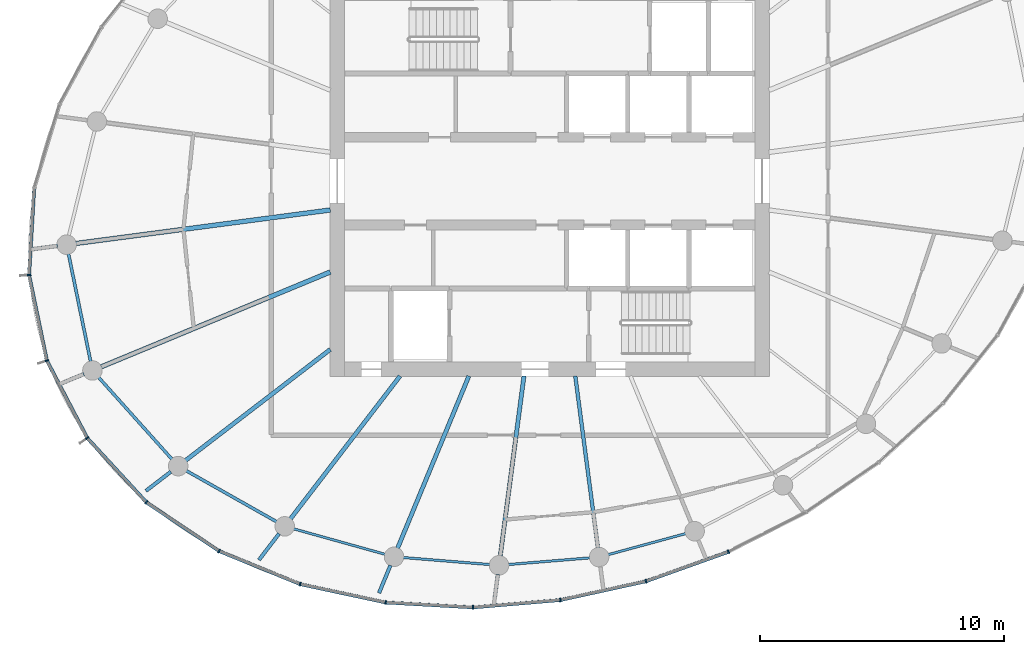
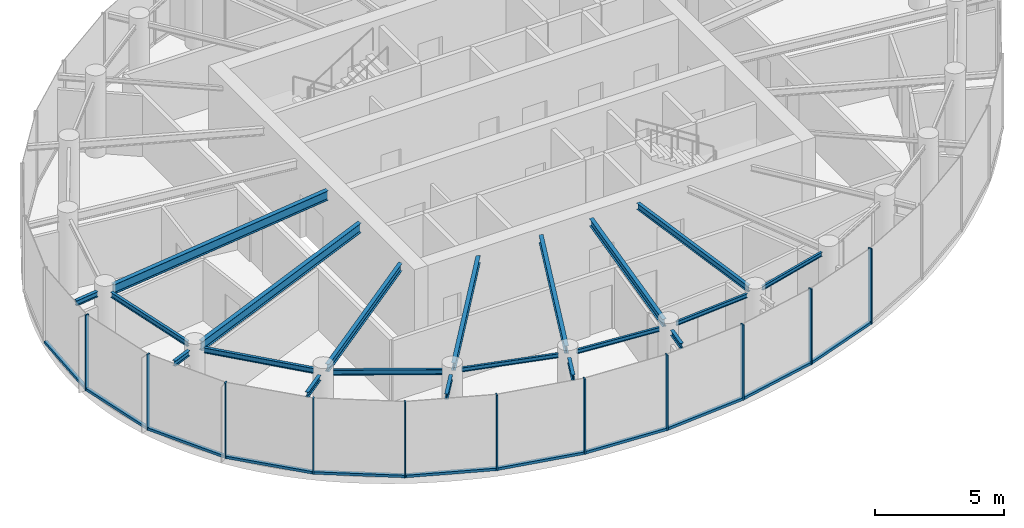
# One storey, part 2 of 13: 22 members, 20 beams, 3 elements without a shape of their own.
"""IFC4 building model written with IfcOpenShell, lengths in metres."""

from ifc_helpers import new_model, si_unit, direction, frame, origin, origin_2d, place, context, subcontext, project, spatial, rectangle, i_section, extrude, source, transform, mapped, material, layer, layer_set, material_profile, profile_set, type_object, element, aggregate, save


model = new_model("IFC4")

# Units and contexts
model_context = context("Model", 3, precision=1e-05, world=origin(), true_north=direction((0.0, 1.0)))
body_context = subcontext(model_context, "Body", "Model", "MODEL_VIEW")
ifc_project = project(units=[si_unit("LENGTHUNIT", "METRE"), si_unit("AREAUNIT", "SQUARE_METRE"), si_unit("VOLUMEUNIT", "CUBIC_METRE"), si_unit("PLANEANGLEUNIT", "RADIAN"), si_unit("MASSUNIT", "GRAM", prefix="KILO")], contexts=[model_context])

# Site, building, storey
site_placement = place(None, origin())
site = spatial("IfcSite", under=ifc_project, at=site_placement, CompositionType="ELEMENT")
building_placement = place(site_placement, origin())
building = spatial("IfcBuilding", under=site, at=building_placement, Name="Spindrift Exchange Tower", CompositionType="ELEMENT")
storey_placement = place(building_placement, frame((0.0, 0.0, 246.199951171875)))
storey = spatial("IfcBuildingStorey", under=building, at=storey_placement, Name="L60", CompositionType="ELEMENT", Elevation=246.199951171875)

# Beams
ifc_material_1 = material(Name="Steel Grade 300", Category="steel")
ifc_material_profile_1 = material_profile(ifc_material_1, i_section(OverallWidth=0.18994140625, OverallDepth=0.4541015625, WebThickness=0.008544921875, FlangeThickness=0.0126953125, FilletRadius=0.013916015625, at=origin_2d()), Name="460UB67.1")
ifc_profile_set_1 = profile_set([ifc_material_profile_1], Name="Steel Grade 300")
beam_type_1 = type_object("IfcBeamType", Name="Floor Beam 460UB67.1 Steel Grade 300", PredefinedType="BEAM", material=ifc_profile_set_1)
shared_shape_1 = source(origin(), body_context, "Body", "SweptSolid", [
    extrude(i_section(OverallWidth=0.18994140625, OverallDepth=0.4541015625, WebThickness=0.008544921875, FlangeThickness=0.0126953125, FilletRadius=0.013916015625, at=origin_2d()), origin(), (0.0, 0.0, 1.0), 10.510009765625),
])
beam_1_placement = place(storey_placement, frame((43.019775390625, 46.817626953125, 3.35302734375), z_axis=(-0.991445042488, -0.130524816516, 0.0), x_axis=(0.130524816516, -0.991445042488, 0.0)))
element("IfcBeam", 1, at=beam_1_placement, inside=storey, type_object=beam_type_1, Name="L60 radial beam R13A", PredefinedType="BEAM", context=body_context, shape_type="MappedRepresentation", body=[
    mapped(shared_shape_1, transform((0.0, 0.0, 0.0), scale=1.0)),
])
shared_shape_2 = source(origin(), body_context, "Body", "SweptSolid", [
    extrude(i_section(OverallWidth=0.18994140625, OverallDepth=0.4541015625, WebThickness=0.008544921875, FlangeThickness=0.0126953125, FilletRadius=0.013916015625, at=origin_2d()), origin(), (0.0, 0.0, 1.0), 10.160400390625),
])
beam_2_placement = place(storey_placement, frame((43.0185546875, 44.27978515625, 3.35302734375), z_axis=(-0.923880358773, -0.382681437588, 0.0), x_axis=(0.382681437588, -0.923880358773, 0.0)))
element("IfcBeam", 2, at=beam_2_placement, inside=storey, type_object=beam_type_1, Name="L60 radial beam R14A", PredefinedType="BEAM", context=body_context, shape_type="MappedRepresentation", body=[
    mapped(shared_shape_2, transform((0.0, 0.0, 0.0), scale=1.0)),
])
ifc_material_profile_2 = material_profile(ifc_material_1, i_section(OverallWidth=0.1708984375, OverallDepth=0.35205078125, WebThickness=0.0068359375, FlangeThickness=0.009765625, FilletRadius=0.013916015625, at=origin_2d()), Name="360UB44.7")
ifc_profile_set_2 = profile_set([ifc_material_profile_2], Name="Steel Grade 300")
beam_type_2 = type_object("IfcBeamType", Name="Floor Beam 360UB44.7 Steel Grade 300", PredefinedType="BEAM", material=ifc_profile_set_2)
shared_shape_3 = source(origin(), body_context, "Body", "SweptSolid", [
    extrude(i_section(OverallWidth=0.1708984375, OverallDepth=0.35205078125, WebThickness=0.0068359375, FlangeThickness=0.009765625, FilletRadius=0.013916015625, at=origin_2d()), origin(), (0.0, 0.0, 1.0), 7.466796875),
])
beam_3_placement = place(storey_placement, frame((43.015869140625, 41.106201171875, 3.404052734375), z_axis=(-0.793360004804, -0.608752743548, 0.0), x_axis=(0.608752743548, -0.793360004804, 0.0)))
element("IfcBeam", 3, at=beam_3_placement, inside=storey, type_object=beam_type_2, Name="L60 radial beam R15A", PredefinedType="BEAM", context=body_context, shape_type="MappedRepresentation", body=[
    mapped(shared_shape_3, transform((0.0, 0.0, 0.0), scale=1.0)),
])
shared_shape_4 = source(origin(), body_context, "Body", "SweptSolid", [
    extrude(i_section(OverallWidth=0.1708984375, OverallDepth=0.35205078125, WebThickness=0.0068359375, FlangeThickness=0.009765625, FilletRadius=0.013916015625, at=origin_2d()), origin(), (0.0, 0.0, 1.0), 7.3740234375),
])
beam_4_placement = place(storey_placement, frame((45.87353515625, 40.015869140625, 3.404052734375), z_axis=(-0.608751913917, -0.793360641387, 0.0), x_axis=(0.793360641387, -0.608751913917, 0.0)))
element("IfcBeam", 4, at=beam_4_placement, inside=storey, type_object=beam_type_2, Name="L60 radial beam R16A", PredefinedType="BEAM", context=body_context, shape_type="MappedRepresentation", body=[
    mapped(shared_shape_4, transform((0.0, 0.0, 0.0), scale=1.0)),
])
shared_shape_5 = source(origin(), body_context, "Body", "SweptSolid", [
    extrude(i_section(OverallWidth=0.1708984375, OverallDepth=0.35205078125, WebThickness=0.0068359375, FlangeThickness=0.009765625, FilletRadius=0.013916015625, at=origin_2d()), origin(), (0.0, 0.0, 1.0), 7.630859375),
])
beam_5_placement = place(storey_placement, frame((48.69384765625, 40.0185546875, 3.404052734375), z_axis=(-0.382676740702, -0.92388230426, 0.0), x_axis=(0.92388230426, -0.382676740702, 0.0)))
element("IfcBeam", 5, at=beam_5_placement, inside=storey, type_object=beam_type_2, Name="L60 radial beam R17A", PredefinedType="BEAM", context=body_context, shape_type="MappedRepresentation", body=[
    mapped(shared_shape_5, transform((0.0, 0.0, 0.0), scale=1.0)),
])
shared_shape_6 = source(origin(), body_context, "Body", "SweptSolid", [
    extrude(i_section(OverallWidth=0.1708984375, OverallDepth=0.35205078125, WebThickness=0.0068359375, FlangeThickness=0.009765625, FilletRadius=0.013916015625, at=origin_2d()), origin(), (0.0, 0.0, 1.0), 7.43798828125),
])
beam_6_placement = place(storey_placement, frame((50.949462890625, 40.019775390625, 3.404052734375), z_axis=(-0.130540269579, -0.991443007953, 0.0), x_axis=(0.991443007953, -0.130540269579, 0.0)))
element("IfcBeam", 6, at=beam_6_placement, inside=storey, type_object=beam_type_2, Name="L60 radial beam R18A", PredefinedType="BEAM", context=body_context, shape_type="MappedRepresentation", body=[
    mapped(shared_shape_6, transform((0.0, 0.0, 0.0), scale=1.0)),
])
ifc_material_profile_3 = material_profile(ifc_material_1, i_section(OverallWidth=0.14892578125, OverallDepth=0.298095703125, WebThickness=0.005615234375, FlangeThickness=0.008056640625, FilletRadius=0.012939453125, at=origin_2d()), Name="310UB32.0")
ifc_profile_set_3 = profile_set([ifc_material_profile_3], Name="Steel Grade 300")
beam_type_3 = type_object("IfcBeamType", Name="Floor Beam 310UB32.0 Steel Grade 300", PredefinedType="BEAM", material=ifc_profile_set_3)
shared_shape_7 = source(origin(), body_context, "Body", "SweptSolid", [
    extrude(i_section(OverallWidth=0.14892578125, OverallDepth=0.298095703125, WebThickness=0.005615234375, FlangeThickness=0.008056640625, FilletRadius=0.012939453125, at=origin_2d()), origin(), (0.0, 0.0, 1.0), 7.099853515625),
])
beam_7_placement = place(storey_placement, frame((53.050537109375, 40.019775390625, 3.43115234375), z_axis=(0.130532789835, -0.991443992759, 0.0), x_axis=(0.991443992759, 0.130532789835, 0.0)))
element("IfcBeam", 7, at=beam_7_placement, inside=storey, type_object=beam_type_3, Name="L60 radial beam R19A", PredefinedType="BEAM", context=body_context, shape_type="MappedRepresentation", body=[
    mapped(shared_shape_7, transform((0.0, 0.0, 0.0), scale=1.0)),
])
ifc_material_profile_4 = material_profile(ifc_material_1, i_section(OverallWidth=0.1240234375, OverallDepth=0.248046875, WebThickness=0.0048828125, FlangeThickness=0.008056640625, FilletRadius=0.011962890625, at=origin_2d()), Name="250UB25.7")
ifc_profile_set_4 = profile_set([ifc_material_profile_4], Name="Steel Grade 300")
beam_type_4 = type_object("IfcBeamType", Name="Edge Beam 250UB25.7 Steel Grade 300", PredefinedType="SPANDREL", material=ifc_profile_set_4)
shared_shape_8 = source(origin(), body_context, "Body", "SweptSolid", [
    extrude(i_section(OverallWidth=0.1240234375, OverallDepth=0.248046875, WebThickness=0.0048828125, FlangeThickness=0.008056640625, FilletRadius=0.011962890625, at=origin_2d()), origin(), (0.0, 0.0, 1.0), 4.497802734375),
])
beam_8_placement = place(storey_placement, frame((32.299072265625, 45.024169921875, 3.4560546875), z_axis=(0.201217935785, -0.979546498293, 0.0), x_axis=(0.979546498293, 0.201217935785, 0.0)))
element("IfcBeam", 8, at=beam_8_placement, inside=storey, type_object=beam_type_4, Name="L60 edge beam E13", PredefinedType="SPANDREL", context=body_context, shape_type="MappedRepresentation", body=[
    mapped(shared_shape_8, transform((0.0, 0.0, 0.0), scale=1.0)),
])
shared_shape_9 = source(origin(), body_context, "Body", "SweptSolid", [
    extrude(i_section(OverallWidth=0.1240234375, OverallDepth=0.248046875, WebThickness=0.0048828125, FlangeThickness=0.008056640625, FilletRadius=0.011962890625, at=origin_2d()), origin(), (0.0, 0.0, 1.0), 4.499755859375),
])
beam_9_placement = place(storey_placement, frame((33.533935546875, 39.963134765625, 3.4560546875), z_axis=(0.667419502646, -0.744681950558, 0.0), x_axis=(0.744681950558, 0.667419502646, 0.0)))
element("IfcBeam", 9, at=beam_9_placement, inside=storey, type_object=beam_type_4, Name="L60 edge beam E14", PredefinedType="SPANDREL", context=body_context, shape_type="MappedRepresentation", body=[
    mapped(shared_shape_9, transform((0.0, 0.0, 0.0), scale=1.0)),
])
shared_shape_10 = source(origin(), body_context, "Body", "SweptSolid", [
    extrude(i_section(OverallWidth=0.1240234375, OverallDepth=0.248046875, WebThickness=0.0048828125, FlangeThickness=0.008056640625, FilletRadius=0.011962890625, at=origin_2d()), origin(), (0.0, 0.0, 1.0), 4.2509765625),
])
beam_10_placement = place(storey_placement, frame((37.121337890625, 36.142333984375, 3.4560546875), z_axis=(0.870615246867, -0.491964523033, 0.0), x_axis=(0.491964523033, 0.870615246867, 0.0)))
element("IfcBeam", 10, at=beam_10_placement, inside=storey, type_object=beam_type_4, Name="L60 edge beam E15", PredefinedType="SPANDREL", context=body_context, shape_type="MappedRepresentation", body=[
    mapped(shared_shape_10, transform((0.0, 0.0, 0.0), scale=1.0)),
])
ifc_material_profile_5 = material_profile(ifc_material_1, i_section(OverallWidth=0.09912109375, OverallDepth=0.197998046875, WebThickness=0.00439453125, FlangeThickness=0.007080078125, FilletRadius=0.010986328125, at=origin_2d()), Name="200UB18.2")
ifc_profile_set_5 = profile_set([ifc_material_profile_5], Name="Steel Grade 300")
beam_type_5 = type_object("IfcBeamType", Name="Edge Beam 200UB18.2 Steel Grade 300", PredefinedType="SPANDREL", material=ifc_profile_set_5)
shared_shape_11 = source(origin(), body_context, "Body", "SweptSolid", [
    extrude(i_section(OverallWidth=0.09912109375, OverallDepth=0.197998046875, WebThickness=0.00439453125, FlangeThickness=0.007080078125, FilletRadius=0.010986328125, at=origin_2d()), origin(), (0.0, 0.0, 1.0), 3.885498046875),
])
beam_11_placement = place(storey_placement, frame((41.519287109375, 33.761962890625, 3.48095703125), z_axis=(0.963333134661, -0.268308165482, 0.0), x_axis=(0.268308165482, 0.963333134661, 0.0)))
element("IfcBeam", 11, at=beam_11_placement, inside=storey, type_object=beam_type_5, Name="L60 edge beam E16", PredefinedType="SPANDREL", context=body_context, shape_type="MappedRepresentation", body=[
    mapped(shared_shape_11, transform((0.0, 0.0, 0.0), scale=1.0)),
])
shared_shape_12 = source(origin(), body_context, "Body", "SweptSolid", [
    extrude(i_section(OverallWidth=0.09912109375, OverallDepth=0.197998046875, WebThickness=0.00439453125, FlangeThickness=0.007080078125, FilletRadius=0.010986328125, at=origin_2d()), origin(), (0.0, 0.0, 1.0), 3.5546875),
])
beam_12_placement = place(storey_placement, frame((46.007080078125, 32.586669921875, 3.48095703125), z_axis=(0.996727103969, -0.080839842983, 0.0), x_axis=(0.080839842983, 0.996727103969, 0.0)))
element("IfcBeam", 12, at=beam_12_placement, inside=storey, type_object=beam_type_5, Name="L60 edge beam E17", PredefinedType="SPANDREL", context=body_context, shape_type="MappedRepresentation", body=[
    mapped(shared_shape_12, transform((0.0, 0.0, 0.0), scale=1.0)),
])
shared_shape_13 = source(origin(), body_context, "Body", "SweptSolid", [
    extrude(i_section(OverallWidth=0.09912109375, OverallDepth=0.197998046875, WebThickness=0.00439453125, FlangeThickness=0.007080078125, FilletRadius=0.010986328125, at=origin_2d()), origin(), (0.0, 0.0, 1.0), 3.351806640625),
])
beam_13_placement = place(storey_placement, frame((50.3076171875, 32.2998046875, 3.48095703125), z_axis=(0.996672670999, 0.081508201334, 0.0), x_axis=(-0.081508201334, 0.996672670999, 0.0)))
element("IfcBeam", 13, at=beam_13_placement, inside=storey, type_object=beam_type_5, Name="L60 edge beam E18", PredefinedType="SPANDREL", context=body_context, shape_type="MappedRepresentation", body=[
    mapped(shared_shape_13, transform((0.0, 0.0, 0.0), scale=1.0)),
])
shared_shape_14 = source(origin(), body_context, "Body", "SweptSolid", [
    extrude(i_section(OverallWidth=0.09912109375, OverallDepth=0.197998046875, WebThickness=0.00439453125, FlangeThickness=0.007080078125, FilletRadius=0.010986328125, at=origin_2d()), origin(), (0.0, 0.0, 1.0), 3.2919921875),
])
beam_14_placement = place(storey_placement, frame((54.3935546875, 32.70361328125, 3.48095703125), z_axis=(0.965045644564, 0.262081864896, 0.0), x_axis=(-0.262081864896, 0.965045644564, 0.0)))
element("IfcBeam", 14, at=beam_14_placement, inside=storey, type_object=beam_type_5, Name="L60 edge beam E19", PredefinedType="SPANDREL", context=body_context, shape_type="MappedRepresentation", body=[
    mapped(shared_shape_14, transform((0.0, 0.0, 0.0), scale=1.0)),
])
ifc_material_profile_6 = material_profile(ifc_material_1, i_section(OverallWidth=0.14599609375, OverallDepth=0.251953125, WebThickness=0.006103515625, FlangeThickness=0.008544921875, FilletRadius=0.011962890625, at=origin_2d()), Name="250UB31.4")
ifc_profile_set_6 = profile_set([ifc_material_profile_6], Name="Steel Grade 300")
beam_type_6 = type_object("IfcBeamType", Name="Cantilever Beam 250UB31.4 Steel Grade 300", PredefinedType="BEAM", material=ifc_profile_set_6)
shared_shape_15 = source(origin(), body_context, "Body", "SweptSolid", [
    extrude(i_section(OverallWidth=0.14599609375, OverallDepth=0.251953125, WebThickness=0.006103515625, FlangeThickness=0.008544921875, FilletRadius=0.011962890625, at=origin_2d()), origin(), (0.0, 0.0, 1.0), 1.052978515625),
])
beam_15_placement = place(storey_placement, frame((31.845947265625, 45.3466796875, 3.4541015625), z_axis=(-0.991443243408, -0.1305384813, 0.0), x_axis=(0.1305384813, -0.991443243408, 0.0)))
element("IfcBeam", 15, at=beam_15_placement, inside=storey, type_object=beam_type_6, Name="L60 cantilever beam R13T", PredefinedType="BEAM", context=body_context, shape_type="MappedRepresentation", body=[
    mapped(shared_shape_15, transform((0.0, 0.0, 0.0), scale=1.0)),
])
shared_shape_16 = source(origin(), body_context, "Body", "SweptSolid", [
    extrude(i_section(OverallWidth=0.14599609375, OverallDepth=0.251953125, WebThickness=0.006103515625, FlangeThickness=0.008544921875, FilletRadius=0.011962890625, at=origin_2d()), origin(), (0.0, 0.0, 1.0), 0.942138671875),
])
beam_16_placement = place(storey_placement, frame((32.92919921875, 40.1005859375, 3.4541015625), z_axis=(-0.923849418283, -0.382756126453, 0.0), x_axis=(0.382756126453, -0.923849418283, 0.0)))
element("IfcBeam", 16, at=beam_16_placement, inside=storey, type_object=beam_type_6, Name="L60 cantilever beam R14T", PredefinedType="BEAM", context=body_context, shape_type="MappedRepresentation", body=[
    mapped(shared_shape_16, transform((0.0, 0.0, 0.0), scale=1.0)),
])
shared_shape_17 = source(origin(), body_context, "Body", "SweptSolid", [
    extrude(i_section(OverallWidth=0.14599609375, OverallDepth=0.251953125, WebThickness=0.006103515625, FlangeThickness=0.008544921875, FilletRadius=0.011962890625, at=origin_2d()), origin(), (0.0, 0.0, 1.0), 1.286865234375),
])
beam_17_placement = place(storey_placement, frame((36.489013671875, 36.09814453125, 3.4541015625), z_axis=(-0.793279489437, -0.60885766123, 0.0), x_axis=(0.60885766123, -0.793279489437, 0.0)))
element("IfcBeam", 17, at=beam_17_placement, inside=storey, type_object=beam_type_6, Name="L60 cantilever beam R15T", PredefinedType="BEAM", context=body_context, shape_type="MappedRepresentation", body=[
    mapped(shared_shape_17, transform((0.0, 0.0, 0.0), scale=1.0)),
])
shared_shape_18 = source(origin(), body_context, "Body", "SweptSolid", [
    extrude(i_section(OverallWidth=0.14599609375, OverallDepth=0.251953125, WebThickness=0.006103515625, FlangeThickness=0.008544921875, FilletRadius=0.011962890625, at=origin_2d()), origin(), (0.0, 0.0, 1.0), 1.356201171875),
])
beam_18_placement = place(storey_placement, frame((40.921630859375, 33.5625, 3.4541015625), z_axis=(-0.608692300698, -0.793406379525, 0.0), x_axis=(0.793406379525, -0.608692300698, 0.0)))
element("IfcBeam", 18, at=beam_18_placement, inside=storey, type_object=beam_type_6, Name="L60 cantilever beam R16T", PredefinedType="BEAM", context=body_context, shape_type="MappedRepresentation", body=[
    mapped(shared_shape_18, transform((0.0, 0.0, 0.0), scale=1.0)),
])
shared_shape_19 = source(origin(), body_context, "Body", "SweptSolid", [
    extrude(i_section(OverallWidth=0.14599609375, OverallDepth=0.251953125, WebThickness=0.006103515625, FlangeThickness=0.008544921875, FilletRadius=0.011962890625, at=origin_2d()), origin(), (0.0, 0.0, 1.0), 1.22509765625),
])
beam_19_placement = place(storey_placement, frame((45.48291015625, 32.266357421875, 3.4541015625), z_axis=(-0.382633408694, -0.923900251408, 0.0), x_axis=(0.923900251408, -0.382633408694, 0.0)))
element("IfcBeam", 19, at=beam_19_placement, inside=storey, type_object=beam_type_6, Name="L60 cantilever beam R17T", PredefinedType="BEAM", context=body_context, shape_type="MappedRepresentation", body=[
    mapped(shared_shape_19, transform((0.0, 0.0, 0.0), scale=1.0)),
])
shared_shape_20 = source(origin(), body_context, "Body", "SweptSolid", [
    extrude(i_section(OverallWidth=0.14599609375, OverallDepth=0.251953125, WebThickness=0.006103515625, FlangeThickness=0.008544921875, FilletRadius=0.011962890625, at=origin_2d()), origin(), (0.0, 0.0, 1.0), 1.0146484375),
])
beam_20_placement = place(storey_placement, frame((49.87939453125, 31.891845703125, 3.4541015625), z_axis=(-0.13066615264, -0.991426425185, 0.0), x_axis=(0.991426425185, -0.13066615264, 0.0)))
element("IfcBeam", 20, at=beam_20_placement, inside=storey, type_object=beam_type_6, Name="L60 cantilever beam R18T", PredefinedType="BEAM", context=body_context, shape_type="MappedRepresentation", body=[
    mapped(shared_shape_20, transform((0.0, 0.0, 0.0), scale=1.0)),
])

# Curtain wall, members
ifc_material_2 = material(Name="Fritted laminated glass with bronze frame", Category="glass")
ifc_layer = layer(ifc_material_2, 0.159912109375)
ifc_layer_set = layer_set([ifc_layer], Name="ZONE 5 BRONZE FRITTED WALL")
curtain_wall_type = type_object("IfcCurtainWallType", Name="ZONE 5 BRONZE FRITTED WALL", PredefinedType="NOTDEFINED", material=ifc_layer_set)
curtain_wall_1_placement = place(storey_placement, origin())
curtain_wall_1 = element("IfcCurtainWall", 21, at=curtain_wall_1_placement, inside=storey, type_object=curtain_wall_type, Name="L60 Zone 5 Bronze Fritted Wall run 3", PredefinedType="NOTDEFINED")
ifc_material_3 = material(Name="Bronze anodised aluminium", Category="aluminium")
ifc_material_profile_7 = material_profile(ifc_material_3, rectangle(XDim=0.06005859375, YDim=0.159912109375, at=origin_2d()), Name="ZONE 5 BRONZE FRITTED WALL MULLION 60X160")
ifc_profile_set_7 = profile_set([ifc_material_profile_7], Name="Bronze anodised aluminium")
member_type_1 = type_object("IfcMemberType", Name="ZONE 5 BRONZE FRITTED WALL MULLION 60X160", PredefinedType="MULLION", material=ifc_profile_set_7)
shared_shape_21 = source(origin(), body_context, "Body", "SweptSolid", [
    extrude(rectangle(XDim=0.06005859375, YDim=0.159912109375, at=origin_2d()), origin(), (0.0, 0.0, 1.0), 3.580078125),
])
member_1_placement = place(storey_placement, frame((30.68359375, 44.15478515625, 0.0), z_axis=(0.0, 0.0, 1.0), x_axis=(0.073213996802, -0.99731625409, 0.0)))
member_1 = element("IfcMember", 22, at=member_1_placement, type_object=member_type_1, Name="L60 mullion CW-5.17", PredefinedType="MULLION", context=body_context, shape_type="MappedRepresentation", body=[
    mapped(shared_shape_21, transform((0.0, 0.0, 0.0), scale=1.0)),
])
member_2_placement = place(storey_placement, frame((31.412353515625, 40.65234375, 0.0), z_axis=(0.0, 0.0, 1.0), x_axis=(0.336132183301, -0.941814820094, 0.0)))
member_2 = element("IfcMember", 23, at=member_2_placement, type_object=member_type_1, Name="L60 mullion CW-5.18", PredefinedType="MULLION", context=body_context, shape_type="MappedRepresentation", body=[
    mapped(shared_shape_21, transform((0.0, 0.0, 0.0), scale=1.0)),
])

curtain_wall_2_placement = place(storey_placement, origin())
curtain_wall_2 = element("IfcCurtainWall", 24, at=curtain_wall_2_placement, inside=storey, type_object=curtain_wall_type, Name="L60 Zone 5 Bronze Fritted Wall run 4", PredefinedType="NOTDEFINED")
member_3_placement = place(storey_placement, frame((33.06591796875, 37.479736328125, 0.0), z_axis=(0.0, 0.0, 1.0), x_axis=(0.574782975454, -0.818305890929, 0.0)))
member_3 = element("IfcMember", 25, at=member_3_placement, type_object=member_type_1, Name="L60 mullion CW-5.19", PredefinedType="MULLION", context=body_context, shape_type="MappedRepresentation", body=[
    mapped(shared_shape_21, transform((0.0, 0.0, 0.0), scale=1.0)),
])
member_4_placement = place(storey_placement, frame((35.490478515625, 34.8466796875, 0.0), z_axis=(0.0, 0.0, 1.0), x_axis=(0.759180377219, -0.650880292255, 0.0)))
member_4 = element("IfcMember", 26, at=member_4_placement, type_object=member_type_1, Name="L60 mullion CW-5.20", PredefinedType="MULLION", context=body_context, shape_type="MappedRepresentation", body=[
    mapped(shared_shape_21, transform((0.0, 0.0, 0.0), scale=1.0)),
])
member_5_placement = place(storey_placement, frame((38.464599609375, 32.8515625, 0.0), z_axis=(0.0, 0.0, 1.0), x_axis=(0.882770312855, -0.469804826223, 0.0)))
member_5 = element("IfcMember", 27, at=member_5_placement, type_object=member_type_1, Name="L60 mullion CW-5.21", PredefinedType="MULLION", context=body_context, shape_type="MappedRepresentation", body=[
    mapped(shared_shape_21, transform((0.0, 0.0, 0.0), scale=1.0)),
])
member_6_placement = place(storey_placement, frame((41.78271484375, 31.498291015625, 0.0), z_axis=(0.0, 0.0, 1.0), x_axis=(0.955563106625, -0.294786616483, 0.0)))
member_6 = element("IfcMember", 28, at=member_6_placement, type_object=member_type_1, Name="L60 mullion CW-5.22", PredefinedType="MULLION", context=body_context, shape_type="MappedRepresentation", body=[
    mapped(shared_shape_21, transform((0.0, 0.0, 0.0), scale=1.0)),
])
member_7_placement = place(storey_placement, frame((45.287841796875, 30.74658203125, 0.0), z_axis=(0.0, 0.0, 1.0), x_axis=(0.991069579181, -0.133345750669, 0.0)))
member_7 = element("IfcMember", 29, at=member_7_placement, type_object=member_type_1, Name="L60 mullion CW-5.23", PredefinedType="MULLION", context=body_context, shape_type="MappedRepresentation", body=[
    mapped(shared_shape_21, transform((0.0, 0.0, 0.0), scale=1.0)),
])
member_8_placement = place(storey_placement, frame((48.86767578125, 30.545166015625, 0.0), z_axis=(0.0, 0.0, 1.0), x_axis=(0.999902561944, 0.013959463353, 0.0)))
member_8 = element("IfcMember", 30, at=member_8_placement, type_object=member_type_1, Name="L60 mullion CW-5.24", PredefinedType="MULLION", context=body_context, shape_type="MappedRepresentation", body=[
    mapped(shared_shape_21, transform((0.0, 0.0, 0.0), scale=1.0)),
])

curtain_wall_3_placement = place(storey_placement, origin())
curtain_wall_3 = element("IfcCurtainWall", 31, at=curtain_wall_3_placement, inside=storey, type_object=curtain_wall_type, Name="L60 Zone 5 Bronze Fritted Wall run 5", PredefinedType="NOTDEFINED")
member_9_placement = place(storey_placement, frame((52.44091796875, 30.8466796875, 0.0), z_axis=(0.0, 0.0, 1.0), x_axis=(0.988784005372, 0.149352571859, 0.0)))
member_9 = element("IfcMember", 32, at=member_9_placement, type_object=member_type_1, Name="L60 mullion CW-5.25", PredefinedType="MULLION", context=body_context, shape_type="MappedRepresentation", body=[
    mapped(shared_shape_21, transform((0.0, 0.0, 0.0), scale=1.0)),
])
member_10_placement = place(storey_placement, frame((55.944091796875, 31.614013671875, 0.0), z_axis=(0.0, 0.0, 1.0), x_axis=(0.961268116403, 0.27561496401, 0.0)))
member_10 = element("IfcMember", 33, at=member_10_placement, type_object=member_type_1, Name="L60 mullion CW-5.26", PredefinedType="MULLION", context=body_context, shape_type="MappedRepresentation", body=[
    mapped(shared_shape_21, transform((0.0, 0.0, 0.0), scale=1.0)),
])
member_11_placement = place(storey_placement, frame((59.322021484375, 32.819580078125, 0.0), z_axis=(0.0, 0.0, 1.0), x_axis=(0.91855168871, 0.395300891938, 0.0)))
member_11 = element("IfcMember", 34, at=member_11_placement, type_object=member_type_1, Name="L60 mullion CW-5.27", PredefinedType="MULLION", context=body_context, shape_type="MappedRepresentation", body=[
    mapped(shared_shape_21, transform((0.0, 0.0, 0.0), scale=1.0)),
])

# Member
ifc_material_profile_8 = material_profile(ifc_material_3, rectangle(XDim=0.139892578125, YDim=0.1201171875, at=origin_2d()), Name="ZONE 5 BRONZE FRITTED WALL TRANSOM 140X120")
ifc_profile_set_8 = profile_set([ifc_material_profile_8], Name="Bronze anodised aluminium")
member_type_2 = type_object("IfcMemberType", Name="ZONE 5 BRONZE FRITTED WALL TRANSOM 140X120", PredefinedType="USERDEFINED", material=ifc_profile_set_8)
shared_shape_22 = source(origin(), body_context, "Body", "SweptSolid", [
    extrude(rectangle(XDim=0.139892578125, YDim=0.1201171875, at=origin_2d()), origin(), (0.0, 0.0, 1.0), 3.52587890625),
])
member_12_placement = place(storey_placement, frame((48.897705078125, 30.547607421875, 0.06005859375), z_axis=(0.996460719168, 0.084059711839, 0.0), x_axis=(-0.084059711839, 0.996460719168, 0.0)))
member_12 = element("IfcMember", 35, at=member_12_placement, type_object=member_type_2, Name="L60 transom CW-5.24", ObjectType="TRANSOM", PredefinedType="USERDEFINED", context=body_context, shape_type="MappedRepresentation", body=[
    mapped(shared_shape_22, transform((0.0, 0.0, 0.0), scale=1.0)),
])

shared_shape_23 = source(origin(), body_context, "Body", "SweptSolid", [
    extrude(rectangle(XDim=0.139892578125, YDim=0.1201171875, at=origin_2d()), origin(), (0.0, 0.0, 1.0), 3.5263671875),
])
member_13_placement = place(storey_placement, frame((52.47021484375, 30.85302734375, 0.06005859375), z_axis=(0.976832669965, 0.214004520722, 0.0), x_axis=(-0.214004520722, 0.976832669965, 0.0)))
member_13 = element("IfcMember", 36, at=member_13_placement, type_object=member_type_2, Name="L60 transom CW-5.25", ObjectType="TRANSOM", PredefinedType="USERDEFINED", context=body_context, shape_type="MappedRepresentation", body=[
    mapped(shared_shape_23, transform((0.0, 0.0, 0.0), scale=1.0)),
])

member_14_placement = place(storey_placement, frame((55.972412109375, 31.6240234375, 0.06005859375), z_axis=(0.941820201815, 0.336117103779, 0.0), x_axis=(-0.336117103779, 0.941820201815, 0.0)))
member_14 = element("IfcMember", 37, at=member_14_placement, type_object=member_type_2, Name="L60 transom CW-5.26", ObjectType="TRANSOM", PredefinedType="USERDEFINED", context=body_context, shape_type="MappedRepresentation", body=[
    mapped(shared_shape_23, transform((0.0, 0.0, 0.0), scale=1.0)),
])

aggregate(curtain_wall_3, [member_9, member_13, member_10, member_14, member_11])

shared_shape_24 = source(origin(), body_context, "Body", "SweptSolid", [
    extrude(rectangle(XDim=0.139892578125, YDim=0.1201171875, at=origin_2d()), origin(), (0.0, 0.0, 1.0), 3.525390625),
])
member_15_placement = place(storey_placement, frame((45.31787109375, 30.7451171875, 0.06005859375), z_axis=(0.99841765744, -0.056233275844, 0.0), x_axis=(0.056233275844, 0.99841765744, 0.0)))
member_15 = element("IfcMember", 38, at=member_15_placement, type_object=member_type_2, Name="L60 transom CW-5.23", ObjectType="TRANSOM", PredefinedType="USERDEFINED", context=body_context, shape_type="MappedRepresentation", body=[
    mapped(shared_shape_24, transform((0.0, 0.0, 0.0), scale=1.0)),
])

shared_shape_25 = source(origin(), body_context, "Body", "SweptSolid", [
    extrude(rectangle(XDim=0.139892578125, YDim=0.1201171875, at=origin_2d()), origin(), (0.0, 0.0, 1.0), 3.521484375),
])
member_16_placement = place(storey_placement, frame((35.515380859375, 34.830078125, 0.06005859375), z_axis=(0.830425503153, -0.55712968303, 0.0), x_axis=(0.55712968303, 0.830425503153, 0.0)))
member_16 = element("IfcMember", 39, at=member_16_placement, type_object=member_type_2, Name="L60 transom CW-5.20", ObjectType="TRANSOM", PredefinedType="USERDEFINED", context=body_context, shape_type="MappedRepresentation", body=[
    mapped(shared_shape_25, transform((0.0, 0.0, 0.0), scale=1.0)),
])

shared_shape_26 = source(origin(), body_context, "Body", "SweptSolid", [
    extrude(rectangle(XDim=0.139892578125, YDim=0.1201171875, at=origin_2d()), origin(), (0.0, 0.0, 1.0), 3.519287109375),
])
member_17_placement = place(storey_placement, frame((30.891357421875, 47.697998046875, 0.06005859375), z_axis=(-0.058551218795, -0.998284405757, 0.0), x_axis=(0.998284405757, -0.058551218795, 0.0)))
member_17 = element("IfcMember", 40, at=member_17_placement, type_object=member_type_2, Name="L60 transom CW-5.16", ObjectType="TRANSOM", PredefinedType="USERDEFINED", context=body_context, shape_type="MappedRepresentation", body=[
    mapped(shared_shape_26, transform((0.0, 0.0, 0.0), scale=1.0)),
])

member_18_placement = place(storey_placement, frame((33.086181640625, 37.457763671875, 0.06005859375), z_axis=(0.677406614804, -0.735608780684, 0.0), x_axis=(0.735608780684, 0.677406614804, 0.0)))
member_18 = element("IfcMember", 41, at=member_18_placement, type_object=member_type_2, Name="L60 transom CW-5.19", ObjectType="TRANSOM", PredefinedType="USERDEFINED", context=body_context, shape_type="MappedRepresentation", body=[
    mapped(shared_shape_26, transform((0.0, 0.0, 0.0), scale=1.0)),
])

shared_shape_27 = source(origin(), body_context, "Body", "SweptSolid", [
    extrude(rectangle(XDim=0.139892578125, YDim=0.1201171875, at=origin_2d()), origin(), (0.0, 0.0, 1.0), 3.517578125),
])
member_19_placement = place(storey_placement, frame((30.689697265625, 44.12548828125, 0.06005859375), z_axis=(0.203704803846, -0.979032355385, 0.0), x_axis=(0.979032355385, 0.203704803846, 0.0)))
member_19 = element("IfcMember", 42, at=member_19_placement, type_object=member_type_2, Name="L60 transom CW-5.17", ObjectType="TRANSOM", PredefinedType="USERDEFINED", context=body_context, shape_type="MappedRepresentation", body=[
    mapped(shared_shape_27, transform((0.0, 0.0, 0.0), scale=1.0)),
])

member_20_placement = place(storey_placement, frame((31.42626953125, 40.625732421875, 0.06005859375), z_axis=(0.462169845029, -0.886791426631, 0.0), x_axis=(0.886791426631, 0.462169845029, 0.0)))
member_20 = element("IfcMember", 43, at=member_20_placement, type_object=member_type_2, Name="L60 transom CW-5.18", ObjectType="TRANSOM", PredefinedType="USERDEFINED", context=body_context, shape_type="MappedRepresentation", body=[
    mapped(shared_shape_27, transform((0.0, 0.0, 0.0), scale=1.0)),
])

aggregate(curtain_wall_1, [member_17, member_1, member_19, member_2, member_20])

shared_shape_28 = source(origin(), body_context, "Body", "SweptSolid", [
    extrude(rectangle(XDim=0.139892578125, YDim=0.1201171875, at=origin_2d()), origin(), (0.0, 0.0, 1.0), 3.52490234375),
])
member_21_placement = place(storey_placement, frame((41.81201171875, 31.491943359375, 0.06005859375), z_axis=(0.977775038706, -0.209656799756, 0.0), x_axis=(0.209656799756, 0.977775038706, 0.0)))
member_21 = element("IfcMember", 44, at=member_21_placement, type_object=member_type_2, Name="L60 transom CW-5.22", ObjectType="TRANSOM", PredefinedType="USERDEFINED", context=body_context, shape_type="MappedRepresentation", body=[
    mapped(shared_shape_28, transform((0.0, 0.0, 0.0), scale=1.0)),
])

shared_shape_29 = source(origin(), body_context, "Body", "SweptSolid", [
    extrude(rectangle(XDim=0.139892578125, YDim=0.1201171875, at=origin_2d()), origin(), (0.0, 0.0, 1.0), 3.523681640625),
])
member_22_placement = place(storey_placement, frame((38.492431640625, 32.840087890625, 0.06005859375), z_axis=(0.925961390946, -0.377618196697, 0.0), x_axis=(0.377618196697, 0.925961390946, 0.0)))
member_22 = element("IfcMember", 45, at=member_22_placement, type_object=member_type_2, Name="L60 transom CW-5.21", ObjectType="TRANSOM", PredefinedType="USERDEFINED", context=body_context, shape_type="MappedRepresentation", body=[
    mapped(shared_shape_29, transform((0.0, 0.0, 0.0), scale=1.0)),
])

aggregate(curtain_wall_2, [member_3, member_18, member_4, member_16, member_5, member_22, member_6, member_21, member_7, member_15, member_8, member_12])

save(model, "model.ifc")
